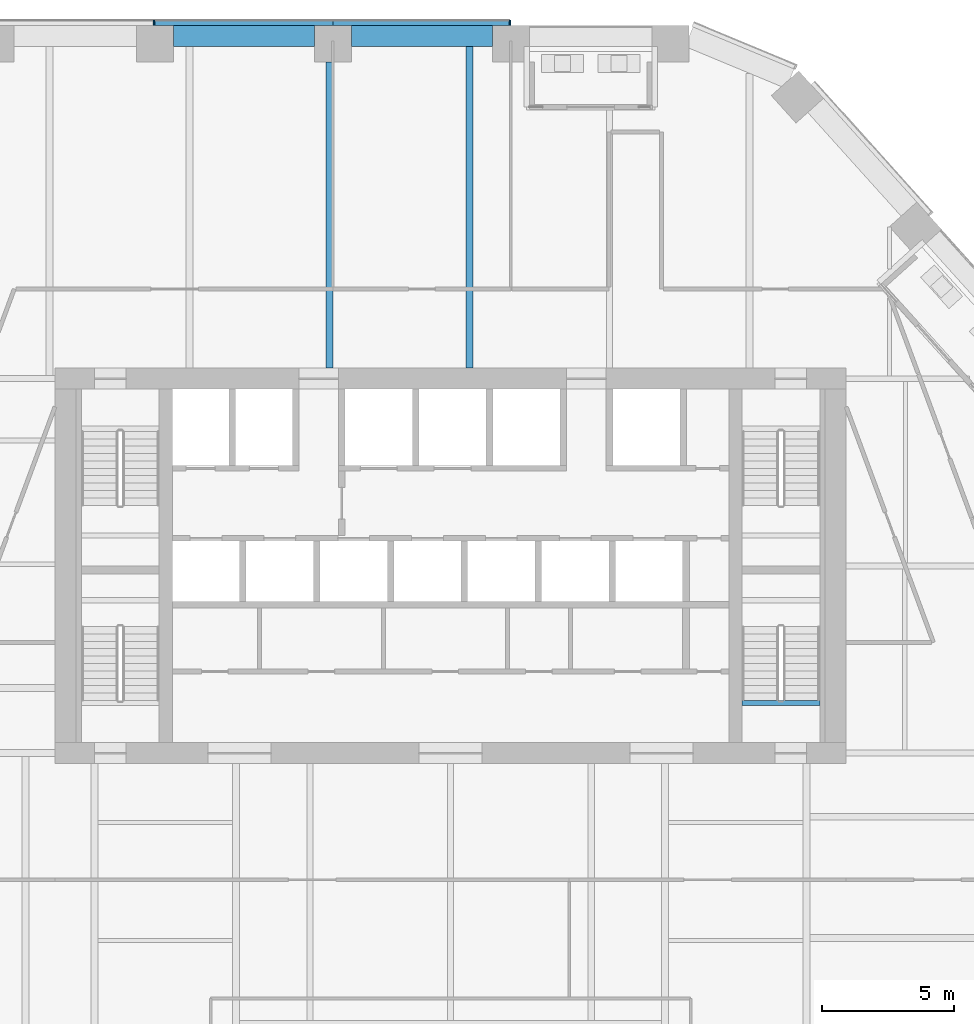
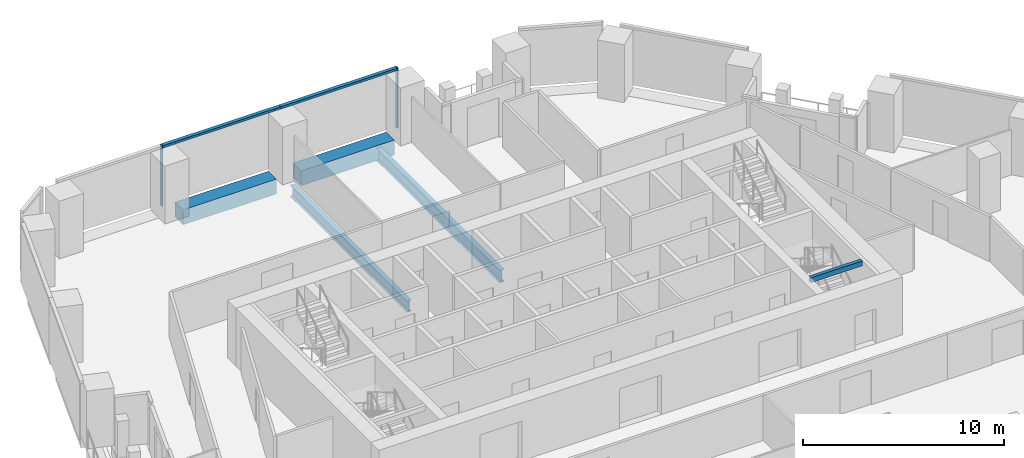
# One storey, part 8 of 24: 5 beams, 4 members, 1 element without a shape of its own.
"""IFC4 building model written with IfcOpenShell, lengths in metres."""

import ifcopenshell
import ifcopenshell.guid

model = None  # the IFC model being written
_history = None  # IfcOwnerHistory: only IFC2X3 demands one
_inside = {}  # id of a spatial element -> (the spatial element, [elements in it])
_under = {}  # id of a project, library or spatial element -> (it, [spatial elements below it])
_declared = {}  # id of a project -> (the project, [libraries it declares])
_typed = {}  # id of a type object -> (the type object, [elements of that type])
_made_of = {}  # id of a material, layer set ... -> (it, [elements and type objects made of it])


def new_model(schema):
    """Start an empty IFC model of exactly this schema.

    Asked for "IFC4X3", IfcOpenShell would pick the latest addendum, in which some entities
    have other attributes; the version numbers below select the first issue.
    IFC2X3 requires an IfcOwnerHistory on every rooted entity: one is made here for all.
    """
    global model, _history
    if schema == "IFC4X3":
        model = ifcopenshell.file(schema_version=(4, 3, 0, 0))
    else:
        model = ifcopenshell.file(schema=schema)
    _inside.clear()
    _under.clear()
    _declared.clear()
    _typed.clear()
    _made_of.clear()
    _history = None
    if model.schema == "IFC2X3":
        org = make("IfcOrganization", Name="unknown")
        user = make(
            "IfcPersonAndOrganization",
            ThePerson=make("IfcPerson", FamilyName="unknown"),
            TheOrganization=org,
        )
        app = make(
            "IfcApplication",
            ApplicationDeveloper=org,
            Version="unknown",
            ApplicationFullName="unknown",
            ApplicationIdentifier="unknown",
        )
        _history = make(
            "IfcOwnerHistory",
            OwningUser=user,
            OwningApplication=app,
            ChangeAction="ADDED",
            CreationDate=0,
        )
    return model


def make(cls, **values):
    """One entity of the class cls with the attributes given. An attribute that is None is left unset."""
    return model.create_entity(
        cls, **{name: value for name, value in values.items() if value is not None}
    )


def rooted(cls, **values):
    """An entity with a GlobalId (a new one), such as an element, a storey or a relation."""
    return make(cls, GlobalId=ifcopenshell.guid.new(), OwnerHistory=_history, **values)


def si_unit(unit_type, name, prefix=None):
    """IfcSIUnit, for example si_unit("LENGTHUNIT", "METRE", prefix="MILLI")."""
    return make("IfcSIUnit", UnitType=unit_type, Prefix=prefix, Name=name)


def assignment(units):
    """IfcUnitAssignment: the units of a project."""
    return None if units is None else make("IfcUnitAssignment", Units=units)


def point(xyz):
    """IfcCartesianPoint."""
    return None if xyz is None else make("IfcCartesianPoint", Coordinates=xyz)


def direction(xyz):
    """IfcDirection."""
    return None if xyz is None else make("IfcDirection", DirectionRatios=xyz)


def frame(location, z_axis=None, x_axis=None):
    """IfcAxis2Placement3D, a coordinate frame: its origin and axes. An axis left out is left unset."""
    return make(
        "IfcAxis2Placement3D",
        Location=point(location),
        Axis=direction(z_axis),
        RefDirection=direction(x_axis),
    )


def frame_2d(location, x_axis=None):
    """IfcAxis2Placement2D, a coordinate frame in the plane: its origin and x axis."""
    return make(
        "IfcAxis2Placement2D", Location=point(location), RefDirection=direction(x_axis)
    )


def origin():
    """The frame at (0, 0, 0) with its axes left unset."""
    return frame((0.0, 0.0, 0.0))


def origin_2d():
    """The frame at (0, 0) in the plane with its x axis left unset."""
    return frame_2d((0.0, 0.0))


def place(relative_to, where):
    """IfcLocalPlacement: puts the frame where relative to a parent placement (None: the world)."""
    return make(
        "IfcLocalPlacement", PlacementRelTo=relative_to, RelativePlacement=where
    )


def context(
    kind, dimensions, precision=None, world=None, true_north=None, identifier=None
):
    """IfcGeometricRepresentationContext, for example the 3D "Model" context."""
    return make(
        "IfcGeometricRepresentationContext",
        ContextIdentifier=identifier,
        ContextType=kind,
        CoordinateSpaceDimension=dimensions,
        Precision=precision,
        WorldCoordinateSystem=world,
        TrueNorth=true_north,
    )


def subcontext(parent, identifier, kind, view, scale=None):
    """IfcGeometricRepresentationSubContext, for example "Body" below "Model"."""
    return make(
        "IfcGeometricRepresentationSubContext",
        ContextIdentifier=identifier,
        ContextType=kind,
        ParentContext=parent,
        TargetScale=scale,
        TargetView=view,
    )


def project(units=None, contexts=None):
    """IfcProject with its units and contexts."""
    return rooted(
        "IfcProject",
        Name="project",
        RepresentationContexts=contexts,
        UnitsInContext=assignment(units),
    )


def spatial(cls, under=None, at=None, **own):
    """A site, building, storey or space (cls), placed at a placement, below another one or the project."""
    s = rooted(cls, ObjectPlacement=at, **own)
    if under is not None:
        _under.setdefault(under.id(), (under, []))[1].append(s)
    return s


def profile(cls, at=None, kind="AREA", **sizes):
    """A parametric profile (cls). Its sizes go by their IFC names, for example OverallWidth=200.0."""
    return make(cls, ProfileType=kind, Position=at, **sizes)


def rectangle(**sizes):
    """IfcRectangleProfileDef."""
    return profile("IfcRectangleProfileDef", **sizes)


def i_section(**sizes):
    """IfcIShapeProfileDef."""
    return profile("IfcIShapeProfileDef", **sizes)


def extrude(swept, where, along, depth):
    """IfcExtrudedAreaSolid: the profile swept, set in the frame where, extruded along a direction by depth."""
    return make(
        "IfcExtrudedAreaSolid",
        SweptArea=swept,
        Position=where,
        ExtrudedDirection=direction(along),
        Depth=depth,
    )


def shape(context_of_items, identifier, shape_type, items):
    """IfcShapeRepresentation: the items that make up one representation, for example the "Body"."""
    return make(
        "IfcShapeRepresentation",
        ContextOfItems=context_of_items,
        RepresentationIdentifier=identifier,
        RepresentationType=shape_type,
        Items=items,
    )


def material(Name=None, Category=None):
    """IfcMaterial."""
    return make("IfcMaterial", Name=Name, Category=Category)


def layer(
    of_material, thickness, ventilated=None, Name=None, Category=None, Priority=None
):
    """IfcMaterialLayer: one layer of a wall or slab, of a material (None: an air gap)."""
    return make(
        "IfcMaterialLayer",
        Material=of_material,
        LayerThickness=thickness,
        IsVentilated=ventilated,
        Name=Name,
        Category=Category,
        Priority=Priority,
    )


def layer_set(layers, Name=None):
    """IfcMaterialLayerSet."""
    return make("IfcMaterialLayerSet", MaterialLayers=layers, LayerSetName=Name)


def material_profile(
    of_material, cross_section, Name=None, Category=None, Priority=None
):
    """IfcMaterialProfile: a cross section and its material."""
    return make(
        "IfcMaterialProfile",
        Name=Name,
        Material=of_material,
        Profile=cross_section,
        Priority=Priority,
        Category=Category,
    )


def profile_set(profiles, Name=None, composite=None):
    """IfcMaterialProfileSet."""
    return make(
        "IfcMaterialProfileSet",
        Name=Name,
        MaterialProfiles=profiles,
        CompositeProfile=composite,
    )


def made_of(thing, what):
    """Note that an element or type object is made of a material, layer set ...; save() writes the relation."""
    if what is not None:
        _made_of.setdefault(what.id(), (what, []))[1].append(thing)
    return thing


def type_object(cls, material=None, **own):
    """A type object (cls), such as IfcWallType, which elements share."""
    return made_of(rooted(cls, **own), material)


def element(
    cls,
    number,
    at=None,
    inside=None,
    cuts=None,
    type_object=None,
    material=None,
    context=None,
    identifier="Body",
    shape_type=None,
    held_by="IfcProductDefinitionShape",
    body=None,
    shapes=None,
    **own,
):
    """One element of the class cls, such as IfcWall. Its Tag is "e" and its number.

    at: its placement. inside: the storey or other place that contains it. cuts: it is an
    opening in that element (IfcRelVoidsElement). A single representation is given by context,
    identifier, shape_type and body (its items); several are given by shapes. held_by: the class
    of the entity that holds the representations. save() writes the other relations.
    """
    e = rooted(cls, Tag="e%d" % number, ObjectPlacement=at, **own)
    if body is not None:
        shapes = [shape(context, identifier, shape_type, body)]
    if shapes is not None:
        e.Representation = make(held_by, Representations=shapes)
    if inside is not None:
        _inside.setdefault(inside.id(), (inside, []))[1].append(e)
    if cuts is not None:
        rooted(
            "IfcRelVoidsElement", RelatingBuildingElement=cuts, RelatedOpeningElement=e
        )
    if type_object is not None:
        _typed.setdefault(type_object.id(), (type_object, []))[1].append(e)
    return made_of(e, material)


def aggregate(whole, parts):
    """IfcRelAggregates: a whole, such as a stair, and the parts it consists of."""
    return rooted("IfcRelAggregates", RelatingObject=whole, RelatedObjects=parts)


def save(model, path):
    """Write the relations noted so far, then the file.

    IfcRelAggregates (storeys below a building ...), IfcRelContainedInSpatialStructure (elements
    in a storey), IfcRelDefinesByType, IfcRelAssociatesMaterial and IfcRelDeclares: one each for
    every whole, place, type object, material and project.
    """
    for whole, parts in _under.values():
        aggregate(whole, parts)
    for where, things in _inside.values():
        rooted(
            "IfcRelContainedInSpatialStructure",
            RelatedElements=things,
            RelatingStructure=where,
        )
    for kind, things in _typed.values():
        rooted("IfcRelDefinesByType", RelatedObjects=things, RelatingType=kind)
    for what, things in _made_of.values():
        rooted("IfcRelAssociatesMaterial", RelatedObjects=things, RelatingMaterial=what)
    for by, libraries in _declared.values():
        rooted("IfcRelDeclares", RelatingContext=by, RelatedDefinitions=libraries)
    model.write(path)


model = new_model("IFC4")

# Units and contexts
model_context = context("Model", 3, precision=1e-05, world=origin(), true_north=direction((0.0, 1.0)))
body_context = subcontext(model_context, "Body", "Model", "MODEL_VIEW")
ifc_project = project(units=[si_unit("LENGTHUNIT", "METRE"), si_unit("AREAUNIT", "SQUARE_METRE"), si_unit("VOLUMEUNIT", "CUBIC_METRE"), si_unit("PLANEANGLEUNIT", "RADIAN"), si_unit("MASSUNIT", "GRAM", prefix="KILO")], contexts=[model_context])

# Site, building, storey
site_placement = place(None, origin())
site = spatial("IfcSite", under=ifc_project, at=site_placement, CompositionType="ELEMENT")
building_placement = place(site_placement, origin())
building = spatial("IfcBuilding", under=site, at=building_placement, Name="Isthmus Gate Tower", CompositionType="ELEMENT")
storey_placement = place(building_placement, frame((0.0, 0.0, 159.0)))
storey = spatial("IfcBuildingStorey", under=building, at=storey_placement, Name="L39", CompositionType="ELEMENT", Elevation=159.0)

# Curtain wall, members
ifc_material_1 = material(Name="Aluminium, pale champagne anodised", Category="aluminium")
ifc_layer = layer(ifc_material_1, 0.199951171875)
ifc_layer_set = layer_set([ifc_layer], Name="CW-1 UNITISED CURTAIN WALL 200 DEEP")
curtain_wall_type = type_object("IfcCurtainWallType", Name="CW-1 UNITISED CURTAIN WALL 200 DEEP", PredefinedType="NOTDEFINED", material=ifc_layer_set)
curtain_wall_placement = place(storey_placement, origin())
curtain_wall = element("IfcCurtainWall", 1, at=curtain_wall_placement, inside=storey, type_object=curtain_wall_type, Name="CW-1 N L39", PredefinedType="NOTDEFINED")
ifc_material_2 = material(Name="Aluminium, pale champagne anodised", Category="aluminium")
ifc_material_profile_1 = material_profile(ifc_material_2, rectangle(XDim=0.06005859375, YDim=0.199951171875, at=origin_2d()), Name="60x200")
ifc_profile_set_1 = profile_set([ifc_material_profile_1], Name="Aluminium, pale champagne anodised")
member_type_1 = type_object("IfcMemberType", Name="CW-1 MULLION 60 X 200", PredefinedType="MULLION", material=ifc_profile_set_1)
member_1_placement = place(storey_placement, frame((2.258544921875, 28.10009765625, 0.0), z_axis=(0.0, 0.0, 1.0), x_axis=(-1.0, 0.0, 0.0)))
member_1 = element("IfcMember", 2, at=member_1_placement, type_object=member_type_1, Name="CW-1 mullion", PredefinedType="MULLION", context=body_context, shape_type="SweptSolid", body=[
    extrude(rectangle(XDim=0.06005859375, YDim=0.199951171875, at=origin_2d()), origin(), (0.0, 0.0, 1.0), 3.64990234375),
])
member_2_placement = place(storey_placement, frame((-11.241943359375, 28.10009765625, 0.0), z_axis=(0.0, 0.0, 1.0), x_axis=(-1.0, 0.0, 0.0)))
member_2 = element("IfcMember", 3, at=member_2_placement, type_object=member_type_1, Name="CW-1 mullion", PredefinedType="MULLION", context=body_context, shape_type="SweptSolid", body=[
    extrude(rectangle(XDim=0.06005859375, YDim=0.199951171875, at=origin_2d()), origin(), (0.0, 0.0, 1.0), 3.64990234375),
])
ifc_material_3 = material(Name="Aluminium, pale champagne anodised", Category="aluminium")
ifc_material_profile_2 = material_profile(ifc_material_3, rectangle(XDim=0.199951171875, YDim=0.139892578125, at=origin_2d()), Name="200x140")
ifc_profile_set_2 = profile_set([ifc_material_profile_2], Name="Aluminium, pale champagne anodised")
member_type_2 = type_object("IfcMemberType", Name="CW-1 TRANSOM 200 X 140", PredefinedType="USERDEFINED", material=ifc_profile_set_2)
member_3_placement = place(storey_placement, frame((2.228515625, 28.10009765625, 3.580078125), z_axis=(-1.0, 0.0, 0.0), x_axis=(0.0, -1.0, 0.0)))
member_3 = element("IfcMember", 4, at=member_3_placement, type_object=member_type_2, Name="CW-1 transom", ObjectType="TRANSOM", PredefinedType="USERDEFINED", context=body_context, shape_type="SweptSolid", body=[
    extrude(rectangle(XDim=0.199951171875, YDim=0.139892578125, at=origin_2d()), origin(), (0.0, 0.0, 1.0), 6.690185546875),
])
member_4_placement = place(storey_placement, frame((-4.461669921875, 28.10009765625, 3.580078125), z_axis=(-1.0, 0.0, 0.0), x_axis=(0.0, -1.0, 0.0)))
member_4 = element("IfcMember", 5, at=member_4_placement, type_object=member_type_2, Name="CW-1 transom", ObjectType="TRANSOM", PredefinedType="USERDEFINED", context=body_context, shape_type="SweptSolid", body=[
    extrude(rectangle(XDim=0.199951171875, YDim=0.139892578125, at=origin_2d()), origin(), (0.0, 0.0, 1.0), 6.750244140625),
])
aggregate(curtain_wall, [member_1, member_3, member_4, member_2])

# Beams
ifc_material_4 = material(Name="Concrete f'c 60 MPa", Category="concrete")
ifc_material_profile_3 = material_profile(ifc_material_4, rectangle(XDim=0.800048828125, YDim=0.89990234375, at=origin_2d()), Name="RC 800X900")
ifc_profile_set_3 = profile_set([ifc_material_profile_3], Name="Concrete f'c 60 MPa")
beam_type_1 = type_object("IfcBeamType", Name="RC SPANDREL 800 X 900", PredefinedType="SPANDREL", material=ifc_profile_set_3)
for number, where, z_axis, x_axis, name in (
    (6, (-10.51171875, 27.60009765625, -0.449951171875), (1.0, 0.0, 0.0), (0.0, 1.0, 0.0), "str-spandrel-L39-27"),
    (7, (-3.76171875, 27.60009765625, -0.449951171875), (1.0, 0.0, 0.0), (0.0, 1.0, 0.0), "str-spandrel-L39-28"),
):
    element("IfcBeam", number, at=place(storey_placement, frame(where, z_axis=z_axis, x_axis=x_axis)), inside=storey, type_object=beam_type_1, Name=name, PredefinedType="SPANDREL", context=body_context, shape_type="SweptSolid", body=[
        extrude(rectangle(XDim=0.800048828125, YDim=0.89990234375, at=origin_2d()), origin(), (0.0, 0.0, 1.0), 5.35009765625),
    ])
ifc_material_5 = material(Name="Concrete f'c 40 MPa", Category="concrete")
ifc_material_profile_4 = material_profile(ifc_material_5, rectangle(XDim=0.199951171875, YDim=0.300048828125, at=origin_2d()), Name="STAIR LANDING BEAM RC 200 X 300")
ifc_profile_set_4 = profile_set([ifc_material_profile_4], Name="Concrete f'c 40 MPa")
beam_type_2 = type_object("IfcBeamType", Name="STAIR LANDING BEAM RC 200 X 300", PredefinedType="BEAM", material=ifc_profile_set_4)
beam_1_placement = place(storey_placement, frame((11.050048828125, 2.2998046875, 3.35009765625), z_axis=(1.0, 0.0, 0.0), x_axis=(0.0, 1.0, 0.0)))
element("IfcBeam", 8, at=beam_1_placement, inside=storey, type_object=beam_type_2, Name="L39 ST8 floor-edge seat beam", PredefinedType="BEAM", context=body_context, shape_type="SweptSolid", body=[
    extrude(rectangle(XDim=0.199951171875, YDim=0.300048828125, at=origin_2d()), origin(), (0.0, 0.0, 1.0), 2.949951171875),
])
ifc_material_6 = material(Name="Structural steel ASTM A992 Gr 50", Category="steel")
ifc_material_profile_5 = material_profile(ifc_material_6, i_section(OverallWidth=0.25390625, OverallDepth=0.679443359375, WebThickness=0.010986328125, FlangeThickness=0.015869140625, at=origin_2d()), Name="W27X84")
ifc_profile_set_5 = profile_set([ifc_material_profile_5], Name="Structural steel ASTM A992 Gr 50")
beam_type_3 = type_object("IfcBeamType", Name="STEEL FLOOR BEAM W27X84", PredefinedType="JOIST", material=ifc_profile_set_5)
beam_2_placement = place(storey_placement, frame((-4.594482421875, 15.0, -0.48974609375), z_axis=(0.0, 1.0, 0.0), x_axis=(-1.0, 0.0, 0.0)))
element("IfcBeam", 9, at=beam_2_placement, inside=storey, type_object=beam_type_3, Name="str-beam-L39-07-03", PredefinedType="JOIST", context=body_context, shape_type="SweptSolid", body=[
    extrude(i_section(OverallWidth=0.25390625, OverallDepth=0.679443359375, WebThickness=0.010986328125, FlangeThickness=0.015869140625, at=origin_2d()), origin(), (0.0, 0.0, 1.0), 11.60009765625),
])
ifc_material_7 = material(Name="Structural steel ASTM A992 Gr 50", Category="steel")
ifc_material_profile_6 = material_profile(ifc_material_7, i_section(OverallWidth=0.263427734375, OverallDepth=0.749267578125, WebThickness=0.0126953125, FlangeThickness=0.015869140625, at=origin_2d()), Name="W30X90")
ifc_profile_set_6 = profile_set([ifc_material_profile_6], Name="Structural steel ASTM A992 Gr 50")
beam_type_4 = type_object("IfcBeamType", Name="STEEL FLOOR BEAM W30X90", PredefinedType="JOIST", material=ifc_profile_set_6)
beam_3_placement = place(storey_placement, frame((0.71435546875, 15.0, -0.524658203125), z_axis=(0.0, 1.0, 0.0), x_axis=(-1.0, 0.0, 0.0)))
element("IfcBeam", 10, at=beam_3_placement, inside=storey, type_object=beam_type_4, Name="str-beam-L39-07-04", PredefinedType="JOIST", context=body_context, shape_type="SweptSolid", body=[
    extrude(i_section(OverallWidth=0.263427734375, OverallDepth=0.749267578125, WebThickness=0.0126953125, FlangeThickness=0.015869140625, at=origin_2d()), origin(), (0.0, 0.0, 1.0), 12.199951171875),
])

save(model, "model.ifc")
